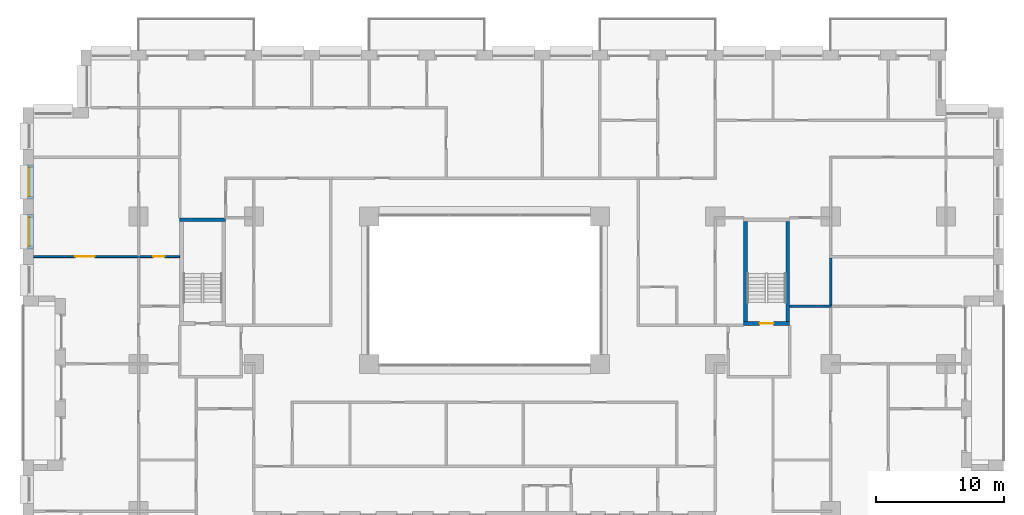
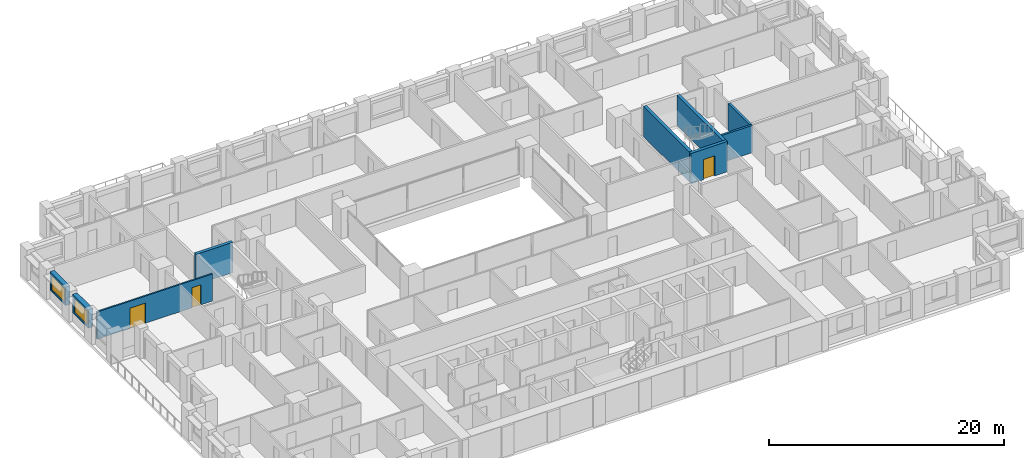
# One storey, part 13 of 20: 9 walls, 3 doors, 2 windows, 5 openings.
"""IFC4 building model written with IfcOpenShell, lengths in metres."""

import ifcopenshell
import ifcopenshell.guid

model = None  # the IFC model being written
_history = None  # IfcOwnerHistory: only IFC2X3 demands one
_inside = {}  # id of a spatial element -> (the spatial element, [elements in it])
_under = {}  # id of a project, library or spatial element -> (it, [spatial elements below it])
_declared = {}  # id of a project -> (the project, [libraries it declares])
_typed = {}  # id of a type object -> (the type object, [elements of that type])
_made_of = {}  # id of a material, layer set ... -> (it, [elements and type objects made of it])


def new_model(schema):
    """Start an empty IFC model of exactly this schema.

    Asked for "IFC4X3", IfcOpenShell would pick the latest addendum, in which some entities
    have other attributes; the version numbers below select the first issue.
    IFC2X3 requires an IfcOwnerHistory on every rooted entity: one is made here for all.
    """
    global model, _history
    if schema == "IFC4X3":
        model = ifcopenshell.file(schema_version=(4, 3, 0, 0))
    else:
        model = ifcopenshell.file(schema=schema)
    _inside.clear()
    _under.clear()
    _declared.clear()
    _typed.clear()
    _made_of.clear()
    _history = None
    if model.schema == "IFC2X3":
        org = make("IfcOrganization", Name="unknown")
        user = make(
            "IfcPersonAndOrganization",
            ThePerson=make("IfcPerson", FamilyName="unknown"),
            TheOrganization=org,
        )
        app = make(
            "IfcApplication",
            ApplicationDeveloper=org,
            Version="unknown",
            ApplicationFullName="unknown",
            ApplicationIdentifier="unknown",
        )
        _history = make(
            "IfcOwnerHistory",
            OwningUser=user,
            OwningApplication=app,
            ChangeAction="ADDED",
            CreationDate=0,
        )
    return model


def make(cls, **values):
    """One entity of the class cls with the attributes given. An attribute that is None is left unset."""
    return model.create_entity(
        cls, **{name: value for name, value in values.items() if value is not None}
    )


def rooted(cls, **values):
    """An entity with a GlobalId (a new one), such as an element, a storey or a relation."""
    return make(cls, GlobalId=ifcopenshell.guid.new(), OwnerHistory=_history, **values)


def si_unit(unit_type, name, prefix=None):
    """IfcSIUnit, for example si_unit("LENGTHUNIT", "METRE", prefix="MILLI")."""
    return make("IfcSIUnit", UnitType=unit_type, Prefix=prefix, Name=name)


def assignment(units):
    """IfcUnitAssignment: the units of a project."""
    return None if units is None else make("IfcUnitAssignment", Units=units)


def point(xyz):
    """IfcCartesianPoint."""
    return None if xyz is None else make("IfcCartesianPoint", Coordinates=xyz)


def direction(xyz):
    """IfcDirection."""
    return None if xyz is None else make("IfcDirection", DirectionRatios=xyz)


def frame(location, z_axis=None, x_axis=None):
    """IfcAxis2Placement3D, a coordinate frame: its origin and axes. An axis left out is left unset."""
    return make(
        "IfcAxis2Placement3D",
        Location=point(location),
        Axis=direction(z_axis),
        RefDirection=direction(x_axis),
    )


def frame_2d(location, x_axis=None):
    """IfcAxis2Placement2D, a coordinate frame in the plane: its origin and x axis."""
    return make(
        "IfcAxis2Placement2D", Location=point(location), RefDirection=direction(x_axis)
    )


def origin():
    """The frame at (0, 0, 0) with its axes left unset."""
    return frame((0.0, 0.0, 0.0))


def place(relative_to, where):
    """IfcLocalPlacement: puts the frame where relative to a parent placement (None: the world)."""
    return make(
        "IfcLocalPlacement", PlacementRelTo=relative_to, RelativePlacement=where
    )


def context(
    kind, dimensions, precision=None, world=None, true_north=None, identifier=None
):
    """IfcGeometricRepresentationContext, for example the 3D "Model" context."""
    return make(
        "IfcGeometricRepresentationContext",
        ContextIdentifier=identifier,
        ContextType=kind,
        CoordinateSpaceDimension=dimensions,
        Precision=precision,
        WorldCoordinateSystem=world,
        TrueNorth=true_north,
    )


def subcontext(parent, identifier, kind, view, scale=None):
    """IfcGeometricRepresentationSubContext, for example "Body" below "Model"."""
    return make(
        "IfcGeometricRepresentationSubContext",
        ContextIdentifier=identifier,
        ContextType=kind,
        ParentContext=parent,
        TargetScale=scale,
        TargetView=view,
    )


def project(units=None, contexts=None):
    """IfcProject with its units and contexts."""
    return rooted(
        "IfcProject",
        Name="project",
        RepresentationContexts=contexts,
        UnitsInContext=assignment(units),
    )


def spatial(cls, under=None, at=None, **own):
    """A site, building, storey or space (cls), placed at a placement, below another one or the project."""
    s = rooted(cls, ObjectPlacement=at, **own)
    if under is not None:
        _under.setdefault(under.id(), (under, []))[1].append(s)
    return s


def profile(cls, at=None, kind="AREA", **sizes):
    """A parametric profile (cls). Its sizes go by their IFC names, for example OverallWidth=200.0."""
    return make(cls, ProfileType=kind, Position=at, **sizes)


def rectangle(**sizes):
    """IfcRectangleProfileDef."""
    return profile("IfcRectangleProfileDef", **sizes)


def extrude(swept, where, along, depth):
    """IfcExtrudedAreaSolid: the profile swept, set in the frame where, extruded along a direction by depth."""
    return make(
        "IfcExtrudedAreaSolid",
        SweptArea=swept,
        Position=where,
        ExtrudedDirection=direction(along),
        Depth=depth,
    )


def shape(context_of_items, identifier, shape_type, items):
    """IfcShapeRepresentation: the items that make up one representation, for example the "Body"."""
    return make(
        "IfcShapeRepresentation",
        ContextOfItems=context_of_items,
        RepresentationIdentifier=identifier,
        RepresentationType=shape_type,
        Items=items,
    )


def material(Name=None, Category=None):
    """IfcMaterial."""
    return make("IfcMaterial", Name=Name, Category=Category)


def layer(
    of_material, thickness, ventilated=None, Name=None, Category=None, Priority=None
):
    """IfcMaterialLayer: one layer of a wall or slab, of a material (None: an air gap)."""
    return make(
        "IfcMaterialLayer",
        Material=of_material,
        LayerThickness=thickness,
        IsVentilated=ventilated,
        Name=Name,
        Category=Category,
        Priority=Priority,
    )


def layer_set(layers, Name=None):
    """IfcMaterialLayerSet."""
    return make("IfcMaterialLayerSet", MaterialLayers=layers, LayerSetName=Name)


def made_of(thing, what):
    """Note that an element or type object is made of a material, layer set ...; save() writes the relation."""
    if what is not None:
        _made_of.setdefault(what.id(), (what, []))[1].append(thing)
    return thing


def type_object(cls, material=None, **own):
    """A type object (cls), such as IfcWallType, which elements share."""
    return made_of(rooted(cls, **own), material)


def element(
    cls,
    number,
    at=None,
    inside=None,
    cuts=None,
    type_object=None,
    material=None,
    context=None,
    identifier="Body",
    shape_type=None,
    held_by="IfcProductDefinitionShape",
    body=None,
    shapes=None,
    **own,
):
    """One element of the class cls, such as IfcWall. Its Tag is "e" and its number.

    at: its placement. inside: the storey or other place that contains it. cuts: it is an
    opening in that element (IfcRelVoidsElement). A single representation is given by context,
    identifier, shape_type and body (its items); several are given by shapes. held_by: the class
    of the entity that holds the representations. save() writes the other relations.
    """
    e = rooted(cls, Tag="e%d" % number, ObjectPlacement=at, **own)
    if body is not None:
        shapes = [shape(context, identifier, shape_type, body)]
    if shapes is not None:
        e.Representation = make(held_by, Representations=shapes)
    if inside is not None:
        _inside.setdefault(inside.id(), (inside, []))[1].append(e)
    if cuts is not None:
        rooted(
            "IfcRelVoidsElement", RelatingBuildingElement=cuts, RelatedOpeningElement=e
        )
    if type_object is not None:
        _typed.setdefault(type_object.id(), (type_object, []))[1].append(e)
    return made_of(e, material)


def fill(opening, filler):
    """IfcRelFillsElement: the door or window that sits in an opening."""
    return rooted(
        "IfcRelFillsElement",
        RelatingOpeningElement=opening,
        RelatedBuildingElement=filler,
    )


def aggregate(whole, parts):
    """IfcRelAggregates: a whole, such as a stair, and the parts it consists of."""
    return rooted("IfcRelAggregates", RelatingObject=whole, RelatedObjects=parts)


def save(model, path):
    """Write the relations noted so far, then the file.

    IfcRelAggregates (storeys below a building ...), IfcRelContainedInSpatialStructure (elements
    in a storey), IfcRelDefinesByType, IfcRelAssociatesMaterial and IfcRelDeclares: one each for
    every whole, place, type object, material and project.
    """
    for whole, parts in _under.values():
        aggregate(whole, parts)
    for where, things in _inside.values():
        rooted(
            "IfcRelContainedInSpatialStructure",
            RelatedElements=things,
            RelatingStructure=where,
        )
    for kind, things in _typed.values():
        rooted("IfcRelDefinesByType", RelatedObjects=things, RelatingType=kind)
    for what, things in _made_of.values():
        rooted("IfcRelAssociatesMaterial", RelatedObjects=things, RelatingMaterial=what)
    for by, libraries in _declared.values():
        rooted("IfcRelDeclares", RelatingContext=by, RelatedDefinitions=libraries)
    model.write(path)


model = new_model("IFC4")

# Units and contexts
model_context = context("Model", 3, precision=1e-05, world=origin(), true_north=direction((0.0, 1.0)))
body_context = subcontext(model_context, "Body", "Model", "MODEL_VIEW")
ifc_project = project(units=[si_unit("LENGTHUNIT", "METRE"), si_unit("AREAUNIT", "SQUARE_METRE"), si_unit("VOLUMEUNIT", "CUBIC_METRE"), si_unit("PLANEANGLEUNIT", "RADIAN"), si_unit("MASSUNIT", "GRAM", prefix="KILO")], contexts=[model_context])

# Site, building, storey
site_placement = place(None, origin())
site = spatial("IfcSite", under=ifc_project, at=site_placement, CompositionType="ELEMENT")
building_placement = place(site_placement, origin())
building = spatial("IfcBuilding", under=site, at=building_placement, Name="Brigalow Station Residences", CompositionType="ELEMENT")
storey_placement = place(building_placement, frame((0.0, 0.0, 54.14990234375)))
storey = spatial("IfcBuildingStorey", under=building, at=storey_placement, Name="L15", CompositionType="ELEMENT", Elevation=54.14990234375)

# Wall, opening, window
ifc_material_1 = material(Name="Clay brick masonry", Category="masonry")
ifc_layer_1 = layer(ifc_material_1, 0.449951171875)
ifc_layer_set_1 = layer_set([ifc_layer_1], Name="BRICK INFILL WALL 450")
wall_type_1 = type_object("IfcWallType", Name="BRICK INFILL WALL 450", PredefinedType="SOLIDWALL", material=ifc_layer_set_1)
wall_1_placement = place(storey_placement, frame((0.574951171875, 39.52490234375, 0.900146484375), z_axis=(0.0, 0.0, 1.0), x_axis=(0.0, -1.0, 0.0)))
wall_1 = element("IfcWall", 1, at=wall_1_placement, inside=storey, type_object=wall_type_1, Name="L15/ewall/W-L15-43", PredefinedType="SOLIDWALL", context=body_context, shape_type="SweptSolid", body=[
    extrude(rectangle(XDim=2.6748046875, YDim=0.449951171875, at=frame_2d((1.33740234375, 0.0))), origin(), (0.0, 0.0, 1.0), 1.929931640625),
])
opening_1_placement = place(wall_1_placement, frame((0.21240234375, 0.0, 0.14990234375)))
opening_1 = element("IfcOpeningElement", 2, at=opening_1_placement, cuts=wall_1, Name="Opening WT-6", PredefinedType="OPENING", context=body_context, shape_type="SweptSolid", body=[
    extrude(rectangle(XDim=2.25, YDim=1.5, at=frame_2d((1.125, 0.75))), frame((0.0, 0.23486328125, 0.0), z_axis=(0.0, -1.0, 0.0), x_axis=(1.0, 0.0, 0.0)), (0.0, 0.0, 1.0), 0.469970703125),
])
ifc_material_2 = material(Name="Anodised aluminium frame with double glazing", Category="aluminium")
window_type = type_object("IfcWindowType", Name="WINDOW 2250x1500", PartitioningType="SINGLE_PANEL", PredefinedType="WINDOW", material=ifc_material_2)
window_1_placement = place(opening_1_placement, origin())
window_1 = element("IfcWindow", 3, at=window_1_placement, inside=storey, type_object=window_type, Name="L15/window/W-L15-43", OverallHeight=1.5, OverallWidth=2.25, PartitioningType="SINGLE_PANEL", PredefinedType="WINDOW", context=body_context, shape_type="SweptSolid", body=[
    extrude(rectangle(XDim=2.25, YDim=1.5, at=frame_2d((1.125, 0.75))), frame((0.0, -0.06494140625, 0.0), z_axis=(0.0, -1.0, 0.0), x_axis=(1.0, 0.0, 0.0)), (0.0, 0.0, 1.0), 0.06005859375),
])
fill(opening_1, window_1)

wall_2_placement = place(storey_placement, frame((0.574951171875, 35.64990234375, 0.900146484375), z_axis=(0.0, 0.0, 1.0), x_axis=(0.0, -1.0, 0.0)))
wall_2 = element("IfcWall", 4, at=wall_2_placement, inside=storey, type_object=wall_type_1, Name="L15/ewall/W-L15-44", PredefinedType="SOLIDWALL", context=body_context, shape_type="SweptSolid", body=[
    extrude(rectangle(XDim=2.6748046875, YDim=0.449951171875, at=frame_2d((1.33740234375, 0.0))), origin(), (0.0, 0.0, 1.0), 1.929931640625),
])
opening_2_placement = place(wall_2_placement, frame((0.21240234375, 0.0, 0.14990234375)))
opening_2 = element("IfcOpeningElement", 5, at=opening_2_placement, cuts=wall_2, Name="Opening WT-6", PredefinedType="OPENING", context=body_context, shape_type="SweptSolid", body=[
    extrude(rectangle(XDim=2.25, YDim=1.5, at=frame_2d((1.125, 0.75))), frame((0.0, 0.23486328125, 0.0), z_axis=(0.0, -1.0, 0.0), x_axis=(1.0, 0.0, 0.0)), (0.0, 0.0, 1.0), 0.469970703125),
])
window_2_placement = place(opening_2_placement, origin())
window_2 = element("IfcWindow", 6, at=window_2_placement, inside=storey, type_object=window_type, Name="L15/window/W-L15-44", OverallHeight=1.5, OverallWidth=2.25, PartitioningType="SINGLE_PANEL", PredefinedType="WINDOW", context=body_context, shape_type="SweptSolid", body=[
    extrude(rectangle(XDim=2.25, YDim=1.5, at=frame_2d((1.125, 0.75))), frame((0.0, -0.06494140625, 0.0), z_axis=(0.0, -1.0, 0.0), x_axis=(1.0, 0.0, 0.0)), (0.0, 0.0, 1.0), 0.06005859375),
])
fill(opening_2, window_2)

# Wall
ifc_material_3 = material(Name="Concrete C80", Category="concrete")
ifc_layer_2 = layer(ifc_material_3, 0.300048828125)
ifc_layer_set_2 = layer_set([ifc_layer_2], Name="CORE SHEAR WALL 300 C80")
wall_type_2 = type_object("IfcWallType", Name="CORE SHEAR WALL 300 C80", PredefinedType="SHEAR", material=ifc_layer_set_2)
wall_3_placement = place(storey_placement, frame((12.199951171875, 35.25, 0.0), z_axis=(0.0, 0.0, 1.0), x_axis=(1.0, 0.0, 0.0)))
element("IfcWall", 7, at=wall_3_placement, inside=storey, type_object=wall_type_2, Name="CORE WALL ST-S1-N L15", PredefinedType="SHEAR", context=body_context, shape_type="SweptSolid", body=[
    extrude(rectangle(XDim=3.60009765625, YDim=0.300048828125, at=frame_2d((1.800048828125, 0.0))), origin(), (0.0, 0.0, 1.0), 3.150146484375),
])

# Wall, opening, door
wall_4_placement = place(storey_placement, frame((56.199951171875, 27.14990234375, 0.0), z_axis=(0.0, 0.0, 1.0), x_axis=(1.0, 0.0, 0.0)))
wall_4 = element("IfcWall", 8, at=wall_4_placement, inside=storey, type_object=wall_type_2, Name="CORE WALL ST-S3-S L15", PredefinedType="SHEAR", context=body_context, shape_type="SweptSolid", body=[
    extrude(rectangle(XDim=3.60009765625, YDim=0.300048828125, at=frame_2d((1.800048828125, 0.0))), origin(), (0.0, 0.0, 1.0), 3.150146484375),
])
opening_3_placement = place(wall_4_placement, frame((1.25, 0.0, 0.0)))
opening_3 = element("IfcOpeningElement", 9, at=opening_3_placement, cuts=wall_4, Name="Opening D-5018", PredefinedType="OPENING", context=body_context, shape_type="SweptSolid", body=[
    extrude(rectangle(XDim=1.10009765625, YDim=2.10009765625, at=frame_2d((0.550048828125, 1.050048828125))), frame((0.0, 0.16015625, 0.0), z_axis=(0.0, -1.0, 0.0), x_axis=(1.0, 0.0, 0.0)), (0.0, 0.0, 1.0), 0.320068359375),
])
ifc_material_4 = material(Name="Steel fire door leaf in steel frame", Category="steel")
door_type_1 = type_object("IfcDoorType", Name="STAIR DOOR 1100 x 2100 FD60S", OperationType="SINGLE_SWING_LEFT", PredefinedType="DOOR", material=ifc_material_4)
door_1_placement = place(opening_3_placement, origin())
door_1 = element("IfcDoor", 10, at=door_1_placement, inside=storey, type_object=door_type_1, Name="D-5018", OperationType="SINGLE_SWING_LEFT", OverallHeight=2.10009765625, OverallWidth=1.10009765625, PredefinedType="DOOR", context=body_context, shape_type="SweptSolid", body=[
    extrude(rectangle(XDim=1.10009765625, YDim=2.10009765625, at=frame_2d((0.550048828125, 1.050048828125))), frame((0.0, 0.02490234375, 0.0), z_axis=(0.0, -1.0, 0.0), x_axis=(1.0, 0.0, 0.0)), (0.0, 0.0, 1.0), 0.050048828125),
])
fill(opening_3, door_1)

# Walls
for number, where, z_axis, x_axis, name in (
    (11, (56.35009765625, 27.300048828125, 0.0), (0.0, 0.0, 1.0), (0.0, 1.0, 0.0), "CORE WALL ST-S3-W L15"),
    (12, (59.64990234375, 27.300048828125, 0.0), (0.0, 0.0, 1.0), (0.0, 1.0, 0.0), "CORE WALL ST-S3-E L15"),
):
    element("IfcWall", number, at=place(storey_placement, frame(where, z_axis=z_axis, x_axis=x_axis)), inside=storey, type_object=wall_type_2, Name=name, PredefinedType="SHEAR", context=body_context, shape_type="SweptSolid", body=[
        extrude(rectangle(XDim=7.800048828125, YDim=0.300048828125, at=frame_2d((3.89990234375, 0.0))), origin(), (0.0, 0.0, 1.0), 3.150146484375),
    ])

# Wall, openings, doors
ifc_material_5 = material(Name="Plasterboard on steel stud partition", Category="steel")
ifc_layer_3 = layer(ifc_material_5, 0.14990234375)
ifc_layer_set_3 = layer_set([ifc_layer_3], Name="FLAT PARTITION 150")
wall_type_3 = type_object("IfcWallType", Name="FLAT PARTITION 150", PredefinedType="PARTITIONING", material=ifc_layer_set_3)
wall_5_placement = place(storey_placement, frame((0.800048828125, 32.375, 0.0), z_axis=(0.0, 0.0, 1.0), x_axis=(1.0, 0.0, 0.0)))
wall_5 = element("IfcWall", 13, at=wall_5_placement, inside=storey, type_object=wall_type_3, Name="PW-1E20", PredefinedType="PARTITIONING", context=body_context, shape_type="SweptSolid", body=[
    extrude(rectangle(XDim=11.39990234375, YDim=0.14990234375, at=frame_2d((5.699951171875, 0.0))), origin(), (0.0, 0.0, 1.0), 2.830078125),
])
opening_4_placement = place(wall_5_placement, frame((3.27490234375, 0.0, 0.0)))
opening_4 = element("IfcOpeningElement", 14, at=opening_4_placement, cuts=wall_5, Name="Opening D-1E09", PredefinedType="OPENING", context=body_context, shape_type="SweptSolid", body=[
    extrude(rectangle(XDim=1.5, YDim=2.10009765625, at=frame_2d((0.75, 1.050048828125))), frame((0.0, 0.0849609375, 0.0), z_axis=(0.0, -1.0, 0.0), x_axis=(1.0, 0.0, 0.0)), (0.0, 0.0, 1.0), 0.169921875),
])
opening_5_placement = place(wall_5_placement, frame((9.35009765625, 0.0, 0.0)))
opening_5 = element("IfcOpeningElement", 15, at=opening_5_placement, cuts=wall_5, Name="Opening D-1E17", PredefinedType="OPENING", context=body_context, shape_type="SweptSolid", body=[
    extrude(rectangle(XDim=0.89990234375, YDim=2.10009765625, at=frame_2d((0.449951171875, 1.050048828125))), frame((0.0, 0.0849609375, 0.0), z_axis=(0.0, -1.0, 0.0), x_axis=(1.0, 0.0, 0.0)), (0.0, 0.0, 1.0), 0.169921875),
])
ifc_material_6 = material(Name="Solid-core timber door leaf", Category="wood")
door_type_2 = type_object("IfcDoorType", Name="INTERNAL DOOR 900 x 2100", OperationType="SINGLE_SWING_LEFT", PredefinedType="DOOR", material=ifc_material_6)
door_2_placement = place(opening_5_placement, frame((0.89990234375, 0.0, 0.0), z_axis=(0.0, 0.0, 1.0), x_axis=(-1.0, 0.0, 0.0)))
door_2 = element("IfcDoor", 16, at=door_2_placement, inside=storey, type_object=door_type_2, Name="D-1E17", OperationType="SINGLE_SWING_RIGHT", OverallHeight=2.10009765625, OverallWidth=0.89990234375, PredefinedType="DOOR", context=body_context, shape_type="SweptSolid", body=[
    extrude(rectangle(XDim=0.89990234375, YDim=2.10009765625, at=frame_2d((0.449951171875, 1.050048828125))), frame((0.0, 0.02490234375, 0.0), z_axis=(0.0, -1.0, 0.0), x_axis=(1.0, 0.0, 0.0)), (0.0, 0.0, 1.0), 0.050048828125),
])
fill(opening_5, door_2)
ifc_material_7 = material(Name="Solid-core timber door leaf", Category="wood")
door_type_3 = type_object("IfcDoorType", Name="INTERNAL DOUBLE DOOR 1500 x 2100", OperationType="DOUBLE_DOOR_SINGLE_SWING", PredefinedType="DOOR", material=ifc_material_7)
door_3_placement = place(opening_4_placement, frame((1.5, 0.0, 0.0), z_axis=(0.0, 0.0, 1.0), x_axis=(-1.0, 0.0, 0.0)))
door_3 = element("IfcDoor", 17, at=door_3_placement, inside=storey, type_object=door_type_3, Name="D-1E09", OperationType="DOUBLE_DOOR_SINGLE_SWING", OverallHeight=2.10009765625, OverallWidth=1.5, PredefinedType="DOOR", context=body_context, shape_type="SweptSolid", body=[
    extrude(rectangle(XDim=1.5, YDim=2.10009765625, at=frame_2d((0.75, 1.050048828125))), frame((0.0, 0.02490234375, 0.0), z_axis=(0.0, -1.0, 0.0), x_axis=(1.0, 0.0, 0.0)), (0.0, 0.0, 1.0), 0.050048828125),
])
fill(opening_4, door_3)

# Walls
ifc_material_8 = material(Name="Plasterboard on steel stud partition", Category="steel")
ifc_layer_4 = layer(ifc_material_8, 0.199951171875)
ifc_layer_set_4 = layer_set([ifc_layer_4], Name="PARTY AND CORRIDOR WALL 200")
wall_type_4 = type_object("IfcWallType", Name="PARTY AND CORRIDOR WALL 200", PredefinedType="PARTITIONING", material=ifc_layer_set_4)
wall_6_placement = place(storey_placement, frame((59.800048828125, 28.5, 0.0), z_axis=(0.0, 0.0, 1.0), x_axis=(1.0, 0.0, 0.0)))
element("IfcWall", 18, at=wall_6_placement, inside=storey, type_object=wall_type_4, Name="PW-1E24", PredefinedType="PARTITIONING", context=body_context, shape_type="SweptSolid", body=[
    extrude(rectangle(XDim=3.27490234375, YDim=0.199951171875, at=frame_2d((1.637451171875, 0.0))), origin(), (0.0, 0.0, 1.0), 2.830078125),
])
wall_7_placement = place(storey_placement, frame((63.0, 28.574951171875, 0.0), z_axis=(0.0, 0.0, 1.0), x_axis=(0.0, 1.0, 0.0)))
element("IfcWall", 19, at=wall_7_placement, inside=storey, type_object=wall_type_4, Name="PW-1E71", PredefinedType="PARTITIONING", context=body_context, shape_type="SweptSolid", body=[
    extrude(rectangle(XDim=3.699951171875, YDim=0.199951171875, at=frame_2d((1.85009765625, 0.0))), origin(), (0.0, 0.0, 1.0), 2.830078125),
])

save(model, "model.ifc")
